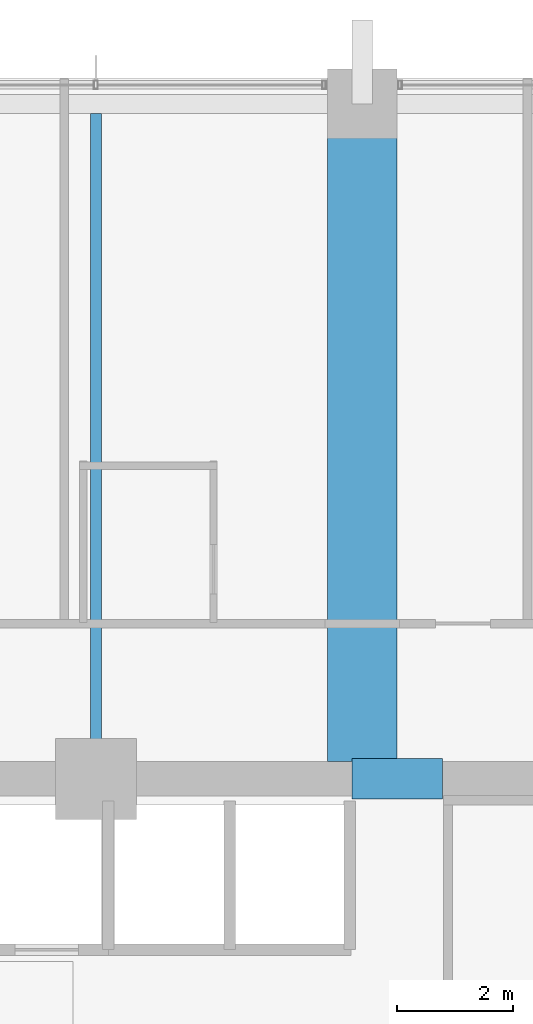
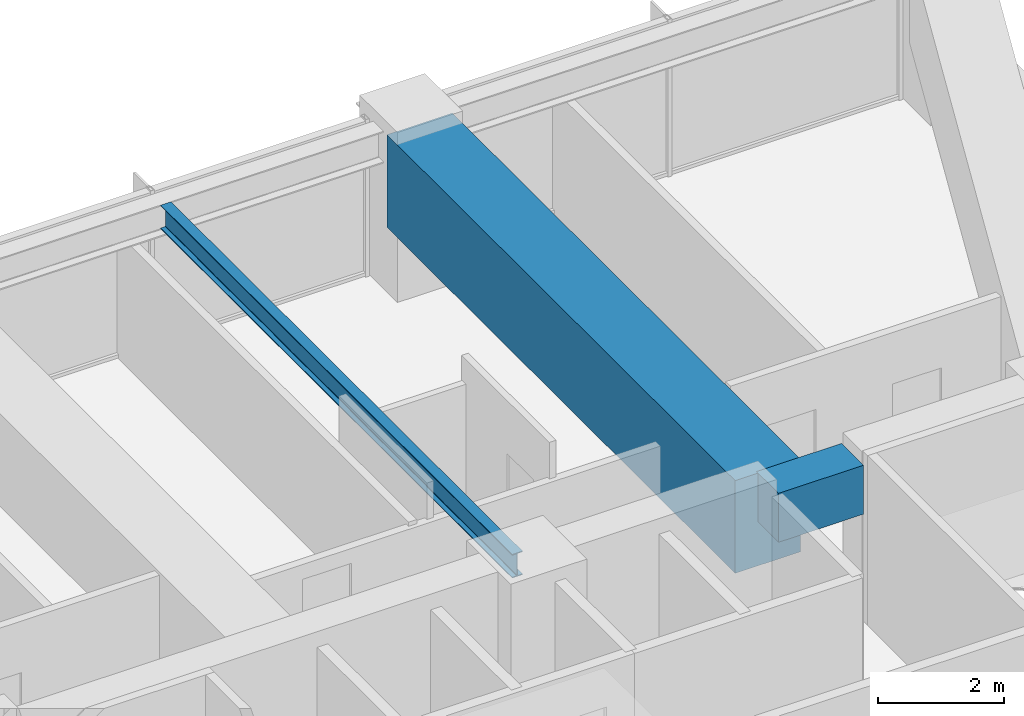
# One storey, part 23 of 39: 3 beams.
"""IFC4 building model written with IfcOpenShell, lengths in metres."""

from ifc_helpers import new_model, si_unit, direction, frame, origin, origin_2d, place, context, subcontext, project, spatial, rectangle, i_section, extrude, material, material_profile, profile_set, type_object, element, save


model = new_model("IFC4")

# Units and contexts
model_context = context("Model", 3, precision=1e-05, world=origin(), true_north=direction((0.0, 1.0)))
body_context = subcontext(model_context, "Body", "Model", "MODEL_VIEW")
ifc_project = project(units=[si_unit("LENGTHUNIT", "METRE"), si_unit("AREAUNIT", "SQUARE_METRE"), si_unit("VOLUMEUNIT", "CUBIC_METRE"), si_unit("PLANEANGLEUNIT", "RADIAN"), si_unit("MASSUNIT", "GRAM", prefix="KILO")], contexts=[model_context])

# Site, building, storey
site_placement = place(None, origin())
site = spatial("IfcSite", under=ifc_project, at=site_placement, CompositionType="ELEMENT")
building_placement = place(site_placement, origin())
building = spatial("IfcBuilding", under=site, at=building_placement, Name="Kolvaren Belvedere", CompositionType="ELEMENT")
storey_placement = place(building_placement, frame((0.0, 0.0, 40.300048828125)))
storey = spatial("IfcBuildingStorey", under=building, at=storey_placement, Name="L11", CompositionType="ELEMENT", Elevation=40.300048828125)

# Beams
ifc_material_1 = material(Name="Structural steel ASTM A992 Grade 50", Category="steel")
ifc_material_profile_1 = material_profile(ifc_material_1, i_section(OverallWidth=0.19091796875, OverallDepth=0.4599609375, WebThickness=0.010009765625, FlangeThickness=0.01611328125, FilletRadius=0.014892578125, at=origin_2d()), Name="W18X55")
ifc_profile_set_1 = profile_set([ifc_material_profile_1], Name="Structural steel ASTM A992 Grade 50")
beam_type_1 = type_object("IfcBeamType", Name="BM-JOIST-W18X55", PredefinedType="BEAM", material=ifc_profile_set_1)
beam_1_placement = place(storey_placement, frame((0.0, 10.199951171875, 2.829833984375), z_axis=(0.0, 1.0, 0.0), x_axis=(-1.0, 0.0, 0.0)))
element("IfcBeam", 1, at=beam_1_placement, inside=storey, type_object=beam_type_1, Name="L11 North Centre Floor Beam", PredefinedType="BEAM", context=body_context, shape_type="SweptSolid", body=[
    extrude(i_section(OverallWidth=0.19091796875, OverallDepth=0.4599609375, WebThickness=0.010009765625, FlangeThickness=0.01611328125, FilletRadius=0.014892578125, at=origin_2d()), origin(), (0.0, 0.0, 1.0), 11.1875),
])
ifc_material_2 = material(Name="Concrete C60/75", Category="concrete")
ifc_material_profile_2 = material_profile(ifc_material_2, rectangle(XDim=0.699951171875, YDim=0.949951171875, at=origin_2d()), Name="RC 700X950")
ifc_profile_set_2 = profile_set([ifc_material_profile_2], Name="Concrete C60/75")
beam_type_2 = type_object("IfcBeamType", Name="BM-LINT-950", PredefinedType="LINTEL", material=ifc_profile_set_2)
beam_2_placement = place(storey_placement, frame((4.419921875, 9.89990234375, 2.5849609375), z_axis=(1.0, 0.0, 0.0), x_axis=(0.0, 1.0, 0.0)))
element("IfcBeam", 2, at=beam_2_placement, inside=storey, type_object=beam_type_2, Name="L11 North Core Coupling Lintel", PredefinedType="LINTEL", context=body_context, shape_type="SweptSolid", body=[
    extrude(rectangle(XDim=0.699951171875, YDim=0.949951171875, at=origin_2d()), origin(), (0.0, 0.0, 1.0), 1.56005859375),
])
ifc_material_3 = material(Name="Concrete C50/60", Category="concrete")
ifc_material_profile_3 = material_profile(ifc_material_3, rectangle(XDim=1.199951171875, YDim=1.800048828125, at=origin_2d()), Name="RC 1200X1800")
ifc_profile_set_3 = profile_set([ifc_material_profile_3], Name="Concrete C50/60")
beam_type_3 = type_object("IfcBeamType", Name="BM-TG-1800", PredefinedType="BEAM", material=ifc_profile_set_3)
beam_3_placement = place(storey_placement, frame((4.60009765625, 10.199951171875, 2.159912109375), z_axis=(0.0, 1.0, 0.0), x_axis=(-1.0, 0.0, 0.0)))
element("IfcBeam", 3, at=beam_3_placement, inside=storey, type_object=beam_type_3, Name="L11 North Radial Girder P", PredefinedType="BEAM", context=body_context, shape_type="SweptSolid", body=[
    extrude(rectangle(XDim=1.199951171875, YDim=1.800048828125, at=origin_2d()), origin(), (0.0, 0.0, 1.0), 11.080078125),
])

save(model, "model.ifc")
